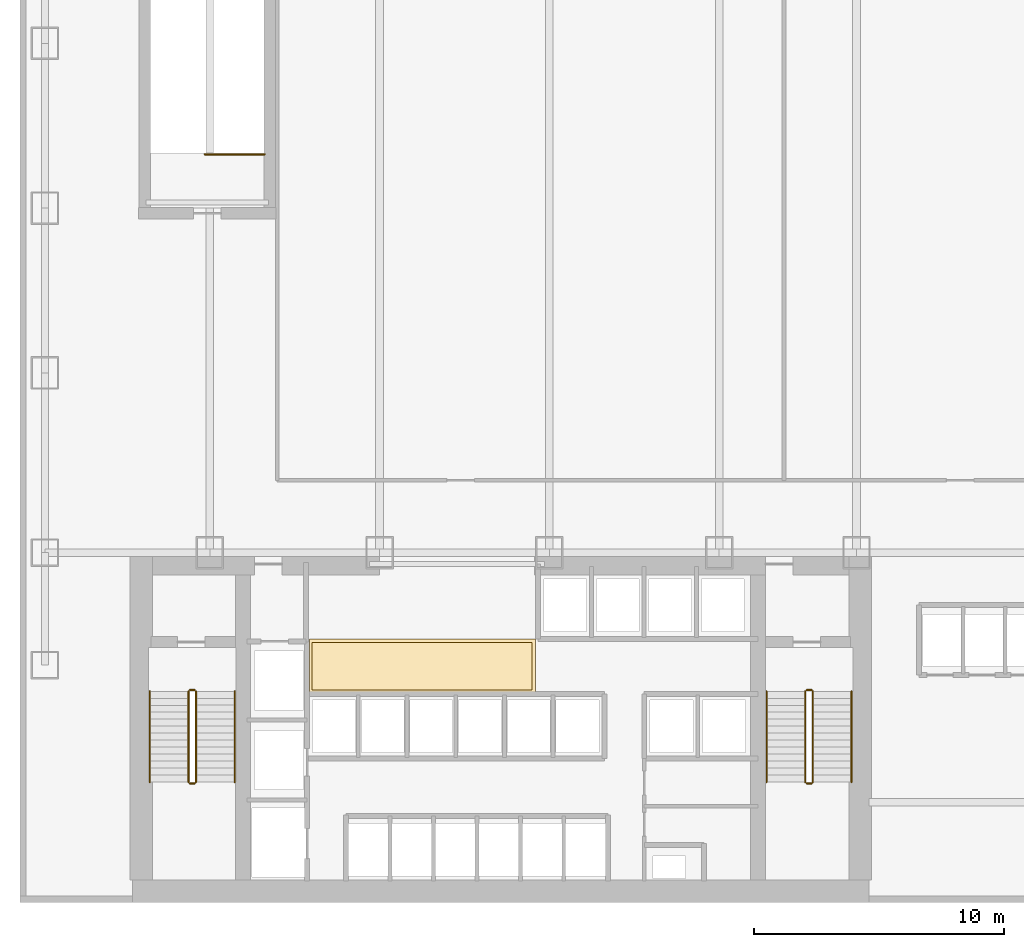
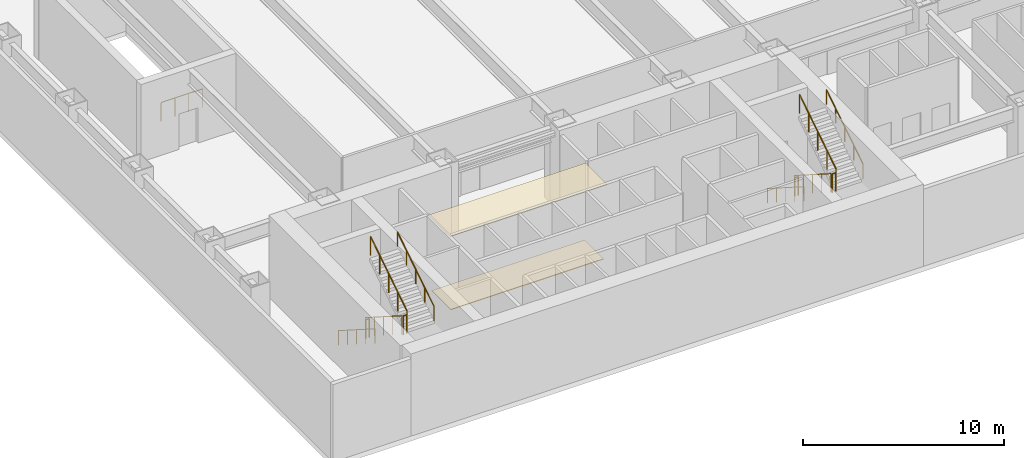
# One storey, part 10 of 14: 13 railings, 2 coverings.
"""IFC4 building model written with IfcOpenShell, lengths in metres."""

from ifc_helpers import new_model, si_unit, derived_unit, direction, frame, origin, origin_2d, place, context, subcontext, project, spatial, polyline, circle, outline, extrude, material, layer, layer_set, type_object, element, save


model = new_model("IFC4")

# Units and contexts
model_context = context("Model", 3, precision=1e-05, world=origin(), true_north=direction((0.0, 1.0)))
body_context = subcontext(model_context, "Body", "Model", "MODEL_VIEW")
ifc_project = project(units=[si_unit("LENGTHUNIT", "METRE"), si_unit("AREAUNIT", "SQUARE_METRE"), si_unit("VOLUMEUNIT", "CUBIC_METRE"), si_unit("PLANEANGLEUNIT", "RADIAN"), si_unit("MASSUNIT", "GRAM", prefix="KILO"), derived_unit("THERMALTRANSMITTANCEUNIT", [(si_unit("POWERUNIT", "WATT"), 1), (si_unit("LENGTHUNIT", "METRE"), -2), (si_unit("THERMODYNAMICTEMPERATUREUNIT", "KELVIN"), -1)])], contexts=[model_context])

# Site, building, storey
site_placement = place(None, origin())
site = spatial("IfcSite", under=ifc_project, at=site_placement, CompositionType="ELEMENT")
building_placement = place(site_placement, origin())
building = spatial("IfcBuilding", under=site, at=building_placement, Name="Skarnbrae Concourse Arena and Tower", CompositionType="ELEMENT")
storey_placement = place(building_placement, frame((0.0, 0.0, 21.0)))
storey = spatial("IfcBuildingStorey", under=building, at=storey_placement, Name="L04", CompositionType="ELEMENT", Elevation=21.0)

# Coverings
ifc_material_1 = material(Name="Mineral fibre acoustic ceiling tile", Category="other")
ifc_layer_1 = layer(ifc_material_1, 0.0400390625)
ifc_layer_set_1 = layer_set([ifc_layer_1], Name="Mineral fibre acoustic ceiling tile")
covering_type_1 = type_object("IfcCoveringType", Name="COV-CEIL-ACOUSTIC", PredefinedType="CEILING", material=ifc_layer_set_1)
covering_1_placement = place(storey_placement, frame((0.0, 0.0, 4.5400390625)))
element("IfcCovering", 1, at=covering_1_placement, inside=storey, type_object=covering_type_1, Name="L04 Lift lobby acoustic ceiling", PredefinedType="CEILING", context=body_context, shape_type="SweptSolid", body=[
    extrude(outline(polyline([(11.60009765625, 8.39990234375), (20.64990234375, 8.39990234375), (20.64990234375, 10.550048828125), (11.60009765625, 10.550048828125), (11.60009765625, 8.39990234375)])), origin(), (0.0, 0.0, 1.0), 0.0400390625),
])
ifc_material_2 = material(Name="Polished granite terrazzo flooring", Category="masonry")
ifc_layer_2 = layer(ifc_material_2, 0.0400390625)
ifc_layer_set_2 = layer_set([ifc_layer_2], Name="Polished granite terrazzo flooring")
covering_type_2 = type_object("IfcCoveringType", Name="COV-FLOOR-TERRAZZO", PredefinedType="FLOORING", material=ifc_layer_set_2)
covering_2_placement = place(storey_placement, origin())
element("IfcCovering", 2, at=covering_2_placement, inside=storey, type_object=covering_type_2, Name="L04 Lift lobby terrazzo flooring", PredefinedType="FLOORING", context=body_context, shape_type="SweptSolid", body=[
    extrude(outline(polyline([(11.699951171875, 8.5), (20.5, 8.5), (20.5, 10.39990234375), (11.699951171875, 10.39990234375), (11.699951171875, 8.5)])), origin(), (0.0, 0.0, 1.0), 0.0400390625),
])

# Railings
ifc_material_3 = material(Name="Steel CSA G40.21 350W", Category="steel")
railing_type_1 = type_object("IfcRailingType", Name="RAIL-HANDRAIL-900", PredefinedType="HANDRAIL", material=ifc_material_3)
railing_1_placement = place(storey_placement, frame((5.199951171875, 8.449951171875, 0.178466796875)))
element("IfcRailing", 3, at=railing_1_placement, inside=storey, type_object=railing_type_1, Name="L04 ST-1 stair handrail 1", PredefinedType="HANDRAIL", context=body_context, shape_type="SweptSolid", body=[
    extrude(circle(Radius=0.02392578125, at=origin_2d()), frame((0.0, 0.0, 0.8759765625), z_axis=(0.0, -0.843111507901, 0.53773877045), x_axis=(1.0, 0.0, 0.0)), (0.0, 0.0, 1.0), 4.317138671875),
    extrude(circle(Radius=0.02099609375, at=origin_2d()), origin(), (0.0, 0.0, 1.0), 0.851806640625),
    extrude(circle(Radius=0.02099609375, at=origin_2d()), frame((0.0, -0.909912109375, 0.580322265625)), (0.0, 0.0, 1.0), 0.851806640625),
    extrude(circle(Radius=0.02099609375, at=origin_2d()), frame((0.0, -1.81982421875, 1.16064453125)), (0.0, 0.0, 1.0), 0.851806640625),
    extrude(circle(Radius=0.02099609375, at=origin_2d()), frame((0.0, -2.72998046875, 1.7412109375)), (0.0, 0.0, 1.0), 0.851806640625),
    extrude(circle(Radius=0.02099609375, at=origin_2d()), frame((0.0, -3.639892578125, 2.321533203125)), (0.0, 0.0, 1.0), 0.851806640625),
])
railing_2_placement = place(storey_placement, frame((8.60009765625, 4.81005859375, 2.678466796875)))
element("IfcRailing", 4, at=railing_2_placement, inside=storey, type_object=railing_type_1, Name="L04 ST-1 stair handrail 2", PredefinedType="HANDRAIL", context=body_context, shape_type="SweptSolid", body=[
    extrude(circle(Radius=0.02392578125, at=origin_2d()), frame((0.0, 0.0, 0.8759765625), z_axis=(0.0, 0.843111507901, 0.53773877045), x_axis=(-1.0, 0.0, 0.0)), (0.0, 0.0, 1.0), 4.317138671875),
    extrude(circle(Radius=0.02099609375, at=origin_2d()), origin(), (0.0, 0.0, 1.0), 0.851806640625),
    extrude(circle(Radius=0.02099609375, at=origin_2d()), frame((0.0, 0.909912109375, 0.580322265625)), (0.0, 0.0, 1.0), 0.851806640625),
    extrude(circle(Radius=0.02099609375, at=origin_2d()), frame((0.0, 1.81982421875, 1.16064453125)), (0.0, 0.0, 1.0), 0.851806640625),
    extrude(circle(Radius=0.02099609375, at=origin_2d()), frame((0.0, 2.72998046875, 1.7412109375)), (0.0, 0.0, 1.0), 0.851806640625),
    extrude(circle(Radius=0.02099609375, at=origin_2d()), frame((0.0, 3.639892578125, 2.321533203125)), (0.0, 0.0, 1.0), 0.851806640625),
])
railing_3_placement = place(storey_placement, frame((29.89990234375, 8.449951171875, 0.178466796875)))
element("IfcRailing", 5, at=railing_3_placement, inside=storey, type_object=railing_type_1, Name="L04 ST-2 stair handrail 1", PredefinedType="HANDRAIL", context=body_context, shape_type="SweptSolid", body=[
    extrude(circle(Radius=0.02392578125, at=origin_2d()), frame((0.0, 0.0, 0.8759765625), z_axis=(0.0, -0.843111507901, 0.53773877045), x_axis=(1.0, 0.0, 0.0)), (0.0, 0.0, 1.0), 4.317138671875),
    extrude(circle(Radius=0.02099609375, at=origin_2d()), origin(), (0.0, 0.0, 1.0), 0.851806640625),
    extrude(circle(Radius=0.02099609375, at=origin_2d()), frame((0.0, -0.909912109375, 0.580322265625)), (0.0, 0.0, 1.0), 0.851806640625),
    extrude(circle(Radius=0.02099609375, at=origin_2d()), frame((0.0, -1.81982421875, 1.16064453125)), (0.0, 0.0, 1.0), 0.851806640625),
    extrude(circle(Radius=0.02099609375, at=origin_2d()), frame((0.0, -2.72998046875, 1.7412109375)), (0.0, 0.0, 1.0), 0.851806640625),
    extrude(circle(Radius=0.02099609375, at=origin_2d()), frame((0.0, -3.639892578125, 2.321533203125)), (0.0, 0.0, 1.0), 0.851806640625),
])
railing_4_placement = place(storey_placement, frame((33.300048828125, 4.81005859375, 2.678466796875)))
element("IfcRailing", 6, at=railing_4_placement, inside=storey, type_object=railing_type_1, Name="L04 ST-2 stair handrail 2", PredefinedType="HANDRAIL", context=body_context, shape_type="SweptSolid", body=[
    extrude(circle(Radius=0.02392578125, at=origin_2d()), frame((0.0, 0.0, 0.8759765625), z_axis=(0.0, 0.843111507901, 0.53773877045), x_axis=(-1.0, 0.0, 0.0)), (0.0, 0.0, 1.0), 4.317138671875),
    extrude(circle(Radius=0.02099609375, at=origin_2d()), origin(), (0.0, 0.0, 1.0), 0.851806640625),
    extrude(circle(Radius=0.02099609375, at=origin_2d()), frame((0.0, 0.909912109375, 0.580322265625)), (0.0, 0.0, 1.0), 0.851806640625),
    extrude(circle(Radius=0.02099609375, at=origin_2d()), frame((0.0, 1.81982421875, 1.16064453125)), (0.0, 0.0, 1.0), 0.851806640625),
    extrude(circle(Radius=0.02099609375, at=origin_2d()), frame((0.0, 2.72998046875, 1.7412109375)), (0.0, 0.0, 1.0), 0.851806640625),
    extrude(circle(Radius=0.02099609375, at=origin_2d()), frame((0.0, 3.639892578125, 2.321533203125)), (0.0, 0.0, 1.0), 0.851806640625),
])
railing_type_2 = type_object("IfcRailingType", Name="RAIL-STAIR-GUARD-1150", PredefinedType="GUARDRAIL", material=ifc_material_3)
railing_5_placement = place(storey_placement, frame((6.75, 8.449951171875, 0.178466796875)))
element("IfcRailing", 7, at=railing_5_placement, inside=storey, type_object=railing_type_2, Name="L04 ST-1 stair guard 1", PredefinedType="GUARDRAIL", context=body_context, shape_type="SweptSolid", body=[
    extrude(circle(Radius=0.02392578125, at=origin_2d()), frame((0.0, 0.0, 1.1259765625), z_axis=(0.0, -0.843111507901, 0.53773877045), x_axis=(1.0, 0.0, 0.0)), (0.0, 0.0, 1.0), 4.317138671875),
    extrude(circle(Radius=0.02099609375, at=origin_2d()), origin(), (0.0, 0.0, 1.0), 1.101806640625),
    extrude(circle(Radius=0.02099609375, at=origin_2d()), frame((0.0, -0.909912109375, 0.580322265625)), (0.0, 0.0, 1.0), 1.101806640625),
    extrude(circle(Radius=0.02099609375, at=origin_2d()), frame((0.0, -1.81982421875, 1.16064453125)), (0.0, 0.0, 1.0), 1.101806640625),
    extrude(circle(Radius=0.02099609375, at=origin_2d()), frame((0.0, -2.72998046875, 1.7412109375)), (0.0, 0.0, 1.0), 1.101806640625),
    extrude(circle(Radius=0.02099609375, at=origin_2d()), frame((0.0, -3.639892578125, 2.321533203125)), (0.0, 0.0, 1.0), 1.101806640625),
])
railing_6_placement = place(storey_placement, frame((6.800048828125, 4.760009765625, 2.5)))
element("IfcRailing", 8, at=railing_6_placement, inside=storey, type_object=railing_type_2, Name="L04 ST-1 stair guard 2", PredefinedType="GUARDRAIL", context=body_context, shape_type="SweptSolid", body=[
    extrude(circle(Radius=0.02392578125, at=origin_2d()), frame((0.0, 0.0, 1.1259765625), z_axis=(1.0, 0.0, 0.0), x_axis=(0.0, 1.0, 0.0)), (0.0, 0.0, 1.0), 0.199951171875),
    extrude(circle(Radius=0.02099609375, at=origin_2d()), origin(), (0.0, 0.0, 1.0), 1.101806640625),
    extrude(circle(Radius=0.02099609375, at=origin_2d()), frame((0.199951171875, 0.0, 0.0)), (0.0, 0.0, 1.0), 1.101806640625),
])
railing_7_placement = place(storey_placement, frame((7.050048828125, 4.81005859375, 2.678466796875)))
element("IfcRailing", 9, at=railing_7_placement, inside=storey, type_object=railing_type_2, Name="L04 ST-1 stair guard 3", PredefinedType="GUARDRAIL", context=body_context, shape_type="SweptSolid", body=[
    extrude(circle(Radius=0.02392578125, at=origin_2d()), frame((0.0, 0.0, 1.1259765625), z_axis=(0.0, 0.843111507901, 0.53773877045), x_axis=(-1.0, 0.0, 0.0)), (0.0, 0.0, 1.0), 4.317138671875),
    extrude(circle(Radius=0.02099609375, at=origin_2d()), origin(), (0.0, 0.0, 1.0), 1.101806640625),
    extrude(circle(Radius=0.02099609375, at=origin_2d()), frame((0.0, 0.909912109375, 0.580322265625)), (0.0, 0.0, 1.0), 1.101806640625),
    extrude(circle(Radius=0.02099609375, at=origin_2d()), frame((0.0, 1.81982421875, 1.16064453125)), (0.0, 0.0, 1.0), 1.101806640625),
    extrude(circle(Radius=0.02099609375, at=origin_2d()), frame((0.0, 2.72998046875, 1.7412109375)), (0.0, 0.0, 1.0), 1.101806640625),
    extrude(circle(Radius=0.02099609375, at=origin_2d()), frame((0.0, 3.639892578125, 2.321533203125)), (0.0, 0.0, 1.0), 1.101806640625),
])
railing_8_placement = place(storey_placement, frame((6.800048828125, 8.5, 0.0)))
element("IfcRailing", 10, at=railing_8_placement, inside=storey, type_object=railing_type_2, Name="L04 ST-1 stair guard 4", PredefinedType="GUARDRAIL", context=body_context, shape_type="SweptSolid", body=[
    extrude(circle(Radius=0.02392578125, at=origin_2d()), frame((0.0, 0.0, 1.1259765625), z_axis=(1.0, 0.0, 0.0), x_axis=(0.0, 1.0, 0.0)), (0.0, 0.0, 1.0), 0.199951171875),
    extrude(circle(Radius=0.02099609375, at=origin_2d()), origin(), (0.0, 0.0, 1.0), 1.101806640625),
    extrude(circle(Radius=0.02099609375, at=origin_2d()), frame((0.199951171875, 0.0, 0.0)), (0.0, 0.0, 1.0), 1.101806640625),
])
railing_9_placement = place(storey_placement, frame((31.449951171875, 8.449951171875, 0.178466796875)))
element("IfcRailing", 11, at=railing_9_placement, inside=storey, type_object=railing_type_2, Name="L04 ST-2 stair guard 1", PredefinedType="GUARDRAIL", context=body_context, shape_type="SweptSolid", body=[
    extrude(circle(Radius=0.02392578125, at=origin_2d()), frame((0.0, 0.0, 1.1259765625), z_axis=(0.0, -0.843111507901, 0.53773877045), x_axis=(1.0, 0.0, 0.0)), (0.0, 0.0, 1.0), 4.317138671875),
    extrude(circle(Radius=0.02099609375, at=origin_2d()), origin(), (0.0, 0.0, 1.0), 1.101806640625),
    extrude(circle(Radius=0.02099609375, at=origin_2d()), frame((0.0, -0.909912109375, 0.580322265625)), (0.0, 0.0, 1.0), 1.101806640625),
    extrude(circle(Radius=0.02099609375, at=origin_2d()), frame((0.0, -1.81982421875, 1.16064453125)), (0.0, 0.0, 1.0), 1.101806640625),
    extrude(circle(Radius=0.02099609375, at=origin_2d()), frame((0.0, -2.72998046875, 1.7412109375)), (0.0, 0.0, 1.0), 1.101806640625),
    extrude(circle(Radius=0.02099609375, at=origin_2d()), frame((0.0, -3.639892578125, 2.321533203125)), (0.0, 0.0, 1.0), 1.101806640625),
])
railing_10_placement = place(storey_placement, frame((31.5, 4.760009765625, 2.5)))
element("IfcRailing", 12, at=railing_10_placement, inside=storey, type_object=railing_type_2, Name="L04 ST-2 stair guard 2", PredefinedType="GUARDRAIL", context=body_context, shape_type="SweptSolid", body=[
    extrude(circle(Radius=0.02392578125, at=origin_2d()), frame((0.0, 0.0, 1.1259765625), z_axis=(1.0, 0.0, 0.0), x_axis=(0.0, 1.0, 0.0)), (0.0, 0.0, 1.0), 0.199951171875),
    extrude(circle(Radius=0.02099609375, at=origin_2d()), origin(), (0.0, 0.0, 1.0), 1.101806640625),
    extrude(circle(Radius=0.02099609375, at=origin_2d()), frame((0.199951171875, 0.0, 0.0)), (0.0, 0.0, 1.0), 1.101806640625),
])
railing_11_placement = place(storey_placement, frame((31.75, 4.81005859375, 2.678466796875)))
element("IfcRailing", 13, at=railing_11_placement, inside=storey, type_object=railing_type_2, Name="L04 ST-2 stair guard 3", PredefinedType="GUARDRAIL", context=body_context, shape_type="SweptSolid", body=[
    extrude(circle(Radius=0.02392578125, at=origin_2d()), frame((0.0, 0.0, 1.1259765625), z_axis=(0.0, 0.843111507901, 0.53773877045), x_axis=(-1.0, 0.0, 0.0)), (0.0, 0.0, 1.0), 4.317138671875),
    extrude(circle(Radius=0.02099609375, at=origin_2d()), origin(), (0.0, 0.0, 1.0), 1.101806640625),
    extrude(circle(Radius=0.02099609375, at=origin_2d()), frame((0.0, 0.909912109375, 0.580322265625)), (0.0, 0.0, 1.0), 1.101806640625),
    extrude(circle(Radius=0.02099609375, at=origin_2d()), frame((0.0, 1.81982421875, 1.16064453125)), (0.0, 0.0, 1.0), 1.101806640625),
    extrude(circle(Radius=0.02099609375, at=origin_2d()), frame((0.0, 2.72998046875, 1.7412109375)), (0.0, 0.0, 1.0), 1.101806640625),
    extrude(circle(Radius=0.02099609375, at=origin_2d()), frame((0.0, 3.639892578125, 2.321533203125)), (0.0, 0.0, 1.0), 1.101806640625),
])
railing_12_placement = place(storey_placement, frame((31.5, 8.5, 0.0)))
element("IfcRailing", 14, at=railing_12_placement, inside=storey, type_object=railing_type_2, Name="L04 ST-2 stair guard 4", PredefinedType="GUARDRAIL", context=body_context, shape_type="SweptSolid", body=[
    extrude(circle(Radius=0.02392578125, at=origin_2d()), frame((0.0, 0.0, 1.1259765625), z_axis=(1.0, 0.0, 0.0), x_axis=(0.0, 1.0, 0.0)), (0.0, 0.0, 1.0), 0.199951171875),
    extrude(circle(Radius=0.02099609375, at=origin_2d()), origin(), (0.0, 0.0, 1.0), 1.101806640625),
    extrude(circle(Radius=0.02099609375, at=origin_2d()), frame((0.199951171875, 0.0, 0.0)), (0.0, 0.0, 1.0), 1.101806640625),
])
railing_13_placement = place(storey_placement, frame((9.800048828125, 29.949951171875, 0.0)))
element("IfcRailing", 15, at=railing_13_placement, inside=storey, type_object=railing_type_2, Name="L04 ST-A3 top well guard 1", PredefinedType="GUARDRAIL", context=body_context, shape_type="SweptSolid", body=[
    extrude(circle(Radius=0.02392578125, at=origin_2d()), frame((0.0, 0.0, 1.1259765625), z_axis=(-1.0, 0.0, 0.0), x_axis=(0.0, -1.0, 0.0)), (0.0, 0.0, 1.0), 2.400146484375),
    extrude(circle(Radius=0.02099609375, at=origin_2d()), origin(), (0.0, 0.0, 1.0), 1.101806640625),
    extrude(circle(Radius=0.02099609375, at=origin_2d()), frame((-0.800048828125, 0.0, 0.0)), (0.0, 0.0, 1.0), 1.101806640625),
    extrude(circle(Radius=0.02099609375, at=origin_2d()), frame((-1.60009765625, 0.0, 0.0)), (0.0, 0.0, 1.0), 1.101806640625),
    extrude(circle(Radius=0.02099609375, at=origin_2d()), frame((-2.400146484375, 0.0, 0.0)), (0.0, 0.0, 1.0), 1.101806640625),
])

save(model, "model.ifc")
